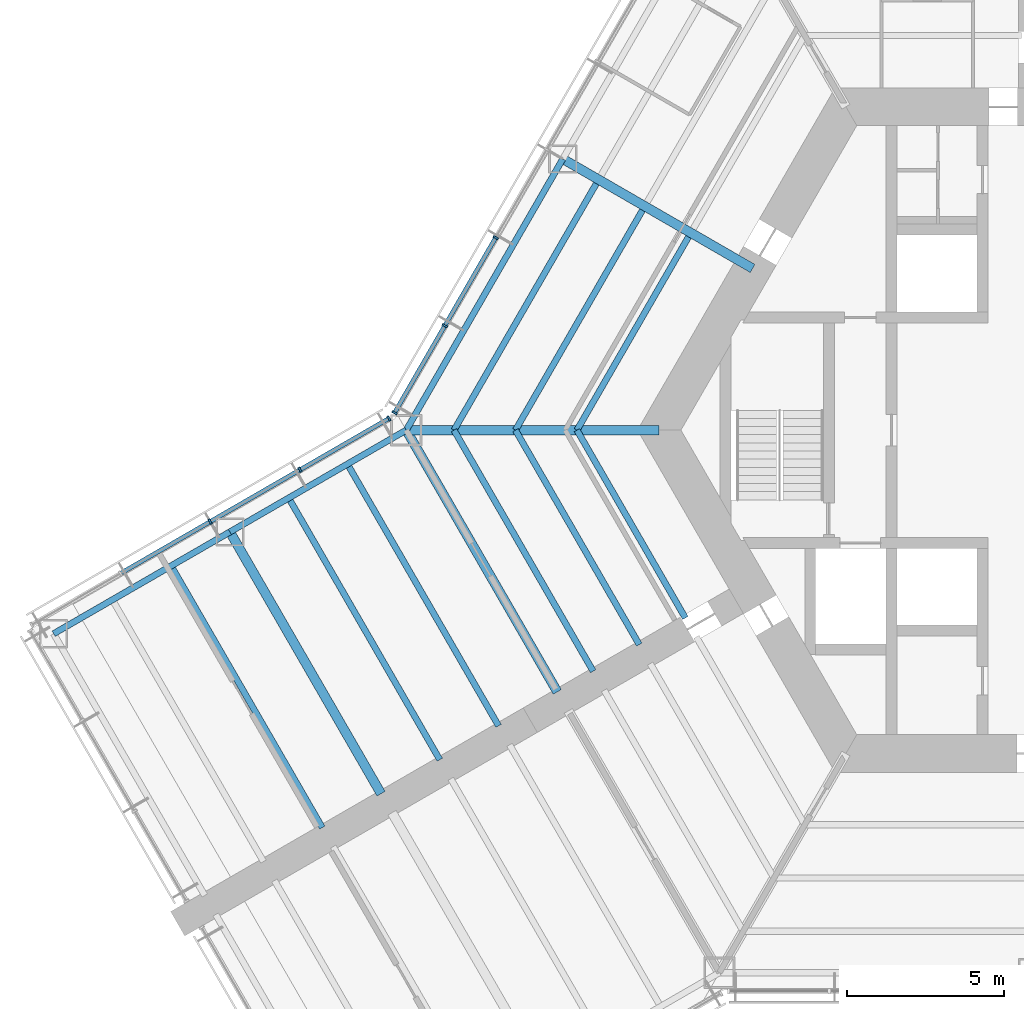
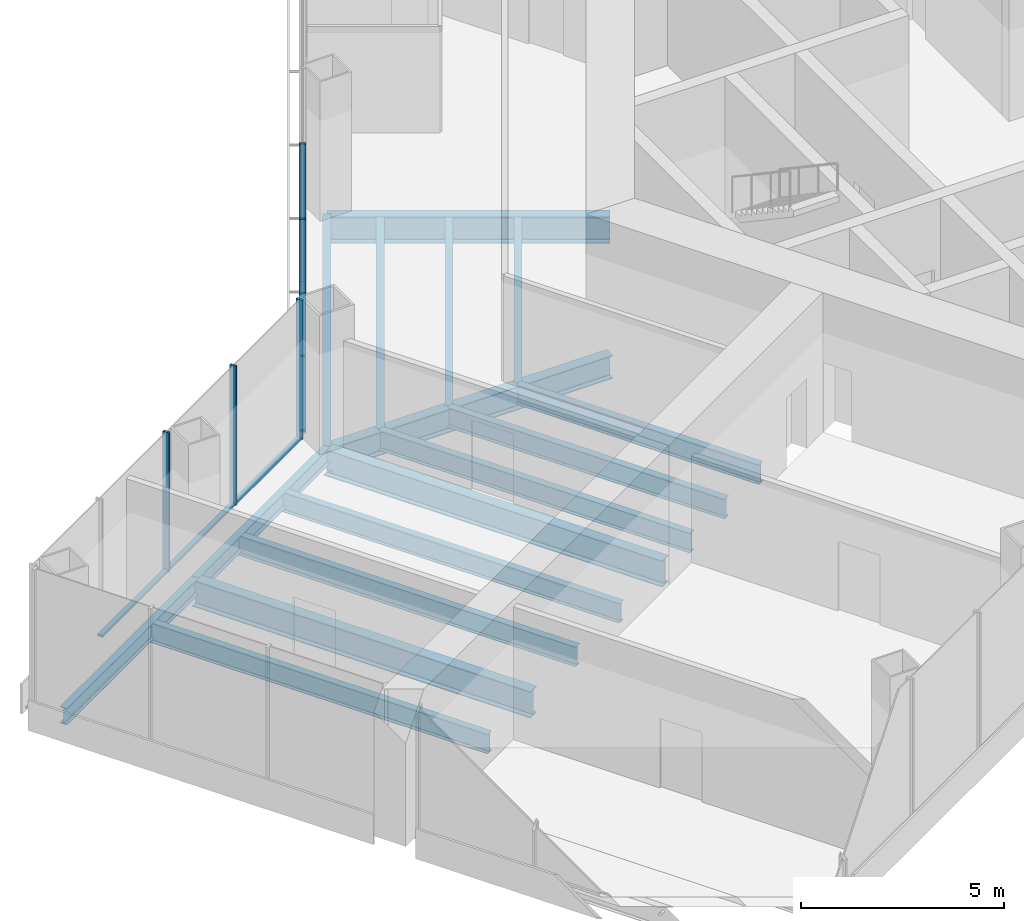
# One storey, part 3 of 16: 16 beams, 11 members, 2 elements without a shape of their own.
"""IFC4 building model written with IfcOpenShell, lengths in metres."""

from ifc_helpers import new_model, si_unit, direction, frame, origin, origin_2d, place, context, subcontext, project, spatial, rectangle, i_section, extrude, material, material_profile, profile_set, type_object, element, aggregate, save


model = new_model("IFC4")

# Units and contexts
model_context = context("Model", 3, precision=1e-05, world=origin(), true_north=direction((0.0, 1.0)))
body_context = subcontext(model_context, "Body", "Model", "MODEL_VIEW")
ifc_project = project(units=[si_unit("LENGTHUNIT", "METRE"), si_unit("AREAUNIT", "SQUARE_METRE"), si_unit("VOLUMEUNIT", "CUBIC_METRE"), si_unit("PLANEANGLEUNIT", "RADIAN"), si_unit("MASSUNIT", "GRAM", prefix="KILO")], contexts=[model_context])

# Site, building, storey
site_placement = place(None, origin())
site = spatial("IfcSite", under=ifc_project, at=site_placement, CompositionType="ELEMENT")
building_placement = place(site_placement, origin())
building = spatial("IfcBuilding", under=site, at=building_placement, Name="Kasaneha Research Tower", CompositionType="ELEMENT")
storey_placement = place(building_placement, frame((0.0, 0.0, 10.0)))
storey = spatial("IfcBuildingStorey", under=building, at=storey_placement, Name="L03", CompositionType="ELEMENT", Elevation=10.0)

# Beams
ifc_material_1 = material(Name="Steel SN490B", Category="steel")
ifc_material_profile_1 = material_profile(ifc_material_1, i_section(OverallWidth=0.199951171875, OverallDepth=0.60009765625, WebThickness=0.010986328125, FlangeThickness=0.01708984375, FilletRadius=0.012939453125, at=origin_2d()), Name="H-600x200x11x17")
ifc_profile_set_1 = profile_set([ifc_material_profile_1], Name="Steel SN490B")
beam_type_1 = type_object("IfcBeamType", Name="B1-1 secondary beam H-600x200x11x17", PredefinedType="JOIST", material=ifc_profile_set_1)
beam_1_placement = place(storey_placement, frame((-14.54931640625, 0.0, -0.5), z_axis=(0.500016104636, 0.866016105569, 0.0), x_axis=(-0.866016105569, 0.500016104636, 0.0)))
element("IfcBeam", 1, at=beam_1_placement, inside=storey, type_object=beam_type_1, Name="Secondary beam RS150R1 L03", PredefinedType="JOIST", context=body_context, shape_type="SweptSolid", body=[
    extrude(i_section(OverallWidth=0.199951171875, OverallDepth=0.60009765625, WebThickness=0.010986328125, FlangeThickness=0.01708984375, FilletRadius=0.012939453125, at=origin_2d()), origin(), (0.0, 0.0, 1.0), 7.124755859375),
])
beam_2_placement = place(storey_placement, frame((-16.51220703125, 0.0, -0.5), z_axis=(0.49999707157, 0.866027094508, 0.0), x_axis=(-0.866027094508, 0.49999707157, 0.0)))
element("IfcBeam", 2, at=beam_2_placement, inside=storey, type_object=beam_type_1, Name="Secondary beam RS150R2 L03", PredefinedType="JOIST", context=body_context, shape_type="SweptSolid", body=[
    extrude(i_section(OverallWidth=0.199951171875, OverallDepth=0.60009765625, WebThickness=0.010986328125, FlangeThickness=0.01708984375, FilletRadius=0.012939453125, at=origin_2d()), origin(), (0.0, 0.0, 1.0), 8.10595703125),
])
beam_3_placement = place(storey_placement, frame((-18.47509765625, 0.0, -0.5), z_axis=(0.499990665392, 0.866030793056, 0.0), x_axis=(-0.866030793056, 0.499990665392, 0.0)))
element("IfcBeam", 3, at=beam_3_placement, inside=storey, type_object=beam_type_1, Name="Secondary beam RS150R3 L03", PredefinedType="JOIST", context=body_context, shape_type="SweptSolid", body=[
    extrude(i_section(OverallWidth=0.199951171875, OverallDepth=0.60009765625, WebThickness=0.010986328125, FlangeThickness=0.01708984375, FilletRadius=0.012939453125, at=origin_2d()), origin(), (0.0, 0.0, 1.0), 9.087646484375),
])
beam_4_placement = place(storey_placement, frame((-14.54931640625, 0.0, -0.5), z_axis=(0.500014420154, -0.866017078145, 0.0), x_axis=(0.866017078145, 0.500014420154, 0.0)))
element("IfcBeam", 4, at=beam_4_placement, inside=storey, type_object=beam_type_1, Name="Secondary beam RS210L1 L03", PredefinedType="JOIST", context=body_context, shape_type="SweptSolid", body=[
    extrude(i_section(OverallWidth=0.199951171875, OverallDepth=0.60009765625, WebThickness=0.010986328125, FlangeThickness=0.01708984375, FilletRadius=0.012939453125, at=origin_2d()), origin(), (0.0, 0.0, 1.0), 6.924560546875),
])
beam_5_placement = place(storey_placement, frame((-16.51220703125, 0.0, -0.5), z_axis=(0.500004902938, -0.866022573054, 0.0), x_axis=(0.866022573054, 0.500004902938, 0.0)))
element("IfcBeam", 5, at=beam_5_placement, inside=storey, type_object=beam_type_1, Name="Secondary beam RS210L2 L03", PredefinedType="JOIST", context=body_context, shape_type="SweptSolid", body=[
    extrude(i_section(OverallWidth=0.199951171875, OverallDepth=0.60009765625, WebThickness=0.010986328125, FlangeThickness=0.01708984375, FilletRadius=0.012939453125, at=origin_2d()), origin(), (0.0, 0.0, 1.0), 7.90625),
])
beam_6_placement = place(storey_placement, frame((-18.47509765625, 0.0, -0.5), z_axis=(0.499988779951, -0.866031881586, 0.0), x_axis=(0.866031881586, 0.499988779951, 0.0)))
element("IfcBeam", 6, at=beam_6_placement, inside=storey, type_object=beam_type_1, Name="Secondary beam RS210L3 L03", PredefinedType="JOIST", context=body_context, shape_type="SweptSolid", body=[
    extrude(i_section(OverallWidth=0.199951171875, OverallDepth=0.60009765625, WebThickness=0.010986328125, FlangeThickness=0.01708984375, FilletRadius=0.012939453125, at=origin_2d()), origin(), (0.0, 0.0, 1.0), 8.887451171875),
])
ifc_material_2 = material(Name="Steel SN490B", Category="steel")
ifc_material_profile_2 = material_profile(ifc_material_2, i_section(OverallWidth=0.198974609375, OverallDepth=0.595947265625, WebThickness=0.010009765625, FlangeThickness=0.014892578125, FilletRadius=0.012939453125, at=origin_2d()), Name="H-596x199x10x15")
ifc_profile_set_2 = profile_set([ifc_material_profile_2], Name="Steel SN490B")
beam_type_2 = type_object("IfcBeamType", Name="B2-1 secondary beam H-596x199x10x15", PredefinedType="JOIST", material=ifc_profile_set_2)
beam_7_placement = place(storey_placement, frame((-21.87646484375, -1.083251953125, -0.498046875), z_axis=(0.500013717211, -0.866017484004, 0.0), x_axis=(0.866017484004, 0.500013717211, 0.0)))
element("IfcBeam", 7, at=beam_7_placement, inside=storey, type_object=beam_type_2, Name="Secondary beam WBBP1 L03", PredefinedType="JOIST", context=body_context, shape_type="SweptSolid", body=[
    extrude(i_section(OverallWidth=0.198974609375, OverallDepth=0.595947265625, WebThickness=0.010009765625, FlangeThickness=0.014892578125, FilletRadius=0.012939453125, at=origin_2d()), origin(), (0.0, 0.0, 1.0), 9.650146484375),
])
for number, where, z_axis, x_axis, name in (
    (8, (-23.752685546875, -2.166748046875, -0.498046875), (0.499994742786, -0.866028439017, 0.0), (0.866028439017, 0.499994742786, 0.0), "Secondary beam WBBP2 L03"),
    (9, (-27.505615234375, -4.333251953125, -0.498046875), (0.499994742786, -0.866028439017, 0.0), (0.866028439017, 0.499994742786, 0.0), "Secondary beam WBBP3 L03"),
):
    element("IfcBeam", number, at=place(storey_placement, frame(where, z_axis=z_axis, x_axis=x_axis)), inside=storey, type_object=beam_type_2, Name=name, PredefinedType="JOIST", context=body_context, shape_type="SweptSolid", body=[
        extrude(i_section(OverallWidth=0.198974609375, OverallDepth=0.595947265625, WebThickness=0.010009765625, FlangeThickness=0.014892578125, FilletRadius=0.012939453125, at=origin_2d()), origin(), (0.0, 0.0, 1.0), 9.64990234375),
    ])

# Curtain wall, members
ifc_material_3 = material(Name="Glass and aluminium", Category="aluminium")
curtain_wall_type = type_object("IfcCurtainWallType", Name="Wet laboratory curtain wall", PredefinedType="USERDEFINED", material=ifc_material_3)
curtain_wall_1_placement = place(storey_placement, origin())
curtain_wall_1 = element("IfcCurtainWall", 10, at=curtain_wall_1_placement, inside=storey, type_object=curtain_wall_type, Name="CW-L1 L03 run 12a", ObjectType="UNITISED CURTAIN WALL", PredefinedType="USERDEFINED")
ifc_material_4 = material(Name="Aluminium 6063-T6", Category="aluminium")
ifc_material_profile_3 = material_profile(ifc_material_4, rectangle(XDim=0.06494140625, YDim=0.179931640625, at=origin_2d()), Name="CW-L1 mullion 65x180")
ifc_profile_set_3 = profile_set([ifc_material_profile_3], Name="Aluminium 6063-T6")
member_type_1 = type_object("IfcMemberType", Name="CW-L1 mullion", PredefinedType="MULLION", material=ifc_profile_set_3)
member_1_placement = place(storey_placement, frame((-17.142822265625, 6.148681640625, 0.0), z_axis=(0.0, 0.0, 1.0), x_axis=(-0.49999996188, -0.866025425793, 0.0)))
member_1 = element("IfcMember", 11, at=member_1_placement, type_object=member_type_1, Name="CW-L1 mullion 5", PredefinedType="MULLION", context=body_context, shape_type="SweptSolid", body=[
    extrude(rectangle(XDim=0.06494140625, YDim=0.179931640625, at=origin_2d()), origin(), (0.0, 0.0, 1.0), 4.199951171875),
])
member_2_placement = place(storey_placement, frame((-18.76611328125, 3.33740234375, 0.0), z_axis=(0.0, 0.0, 1.0), x_axis=(-0.49999996188, -0.866025425793, 0.0)))
member_2 = element("IfcMember", 12, at=member_2_placement, type_object=member_type_1, Name="CW-L1 mullion 6", PredefinedType="MULLION", context=body_context, shape_type="SweptSolid", body=[
    extrude(rectangle(XDim=0.06494140625, YDim=0.179931640625, at=origin_2d()), origin(), (0.0, 0.0, 1.0), 4.199951171875),
])
member_3_placement = place(storey_placement, frame((-20.373046875, 0.553955078125, 0.0), z_axis=(0.0, 0.0, 1.0), x_axis=(-0.49999996188, -0.866025425793, 0.0)))
member_3 = element("IfcMember", 13, at=member_3_placement, type_object=member_type_1, Name="CW-L1 mullion 7", PredefinedType="MULLION", context=body_context, shape_type="SweptSolid", body=[
    extrude(rectangle(XDim=0.06494140625, YDim=0.179931640625, at=origin_2d()), origin(), (0.0, 0.0, 1.0), 4.199951171875),
])

curtain_wall_2_placement = place(storey_placement, origin())
curtain_wall_2 = element("IfcCurtainWall", 14, at=curtain_wall_2_placement, inside=storey, type_object=curtain_wall_type, Name="CW-L1 L03 run 13a", ObjectType="UNITISED CURTAIN WALL", PredefinedType="USERDEFINED")
member_4_placement = place(storey_placement, frame((-20.553955078125, 0.373046875, 0.0), z_axis=(0.0, 0.0, 1.0), x_axis=(-0.866025411464, -0.499999986699, 0.0)))
member_4 = element("IfcMember", 15, at=member_4_placement, type_object=member_type_1, Name="CW-L1 mullion 1", PredefinedType="MULLION", context=body_context, shape_type="SweptSolid", body=[
    extrude(rectangle(XDim=0.06494140625, YDim=0.179931640625, at=origin_2d()), origin(), (0.0, 0.0, 1.0), 4.199951171875),
])
member_5_placement = place(storey_placement, frame((-23.39208984375, -1.265625, 0.0), z_axis=(0.0, 0.0, 1.0), x_axis=(-0.866025411464, -0.499999986699, 0.0)))
member_5 = element("IfcMember", 16, at=member_5_placement, type_object=member_type_1, Name="CW-L1 mullion 2", PredefinedType="MULLION", context=body_context, shape_type="SweptSolid", body=[
    extrude(rectangle(XDim=0.06494140625, YDim=0.179931640625, at=origin_2d()), origin(), (0.0, 0.0, 1.0), 4.199951171875),
])
member_6_placement = place(storey_placement, frame((-26.258544921875, -2.920654296875, 0.0), z_axis=(0.0, 0.0, 1.0), x_axis=(-0.866025411464, -0.499999986699, 0.0)))
member_6 = element("IfcMember", 17, at=member_6_placement, type_object=member_type_1, Name="CW-L1 mullion 3", PredefinedType="MULLION", context=body_context, shape_type="SweptSolid", body=[
    extrude(rectangle(XDim=0.06494140625, YDim=0.179931640625, at=origin_2d()), origin(), (0.0, 0.0, 1.0), 4.199951171875),
])

# Member
ifc_material_5 = material(Name="Aluminium 6063-T6", Category="aluminium")
ifc_material_profile_4 = material_profile(ifc_material_5, rectangle(XDim=0.139892578125, YDim=0.06494140625, at=origin_2d()), Name="CW-L1 transom 140x65")
ifc_profile_set_4 = profile_set([ifc_material_profile_4], Name="Aluminium 6063-T6")
member_type_2 = type_object("IfcMemberType", Name="CW-L1 transom", PredefinedType="USERDEFINED", material=ifc_profile_set_4)
member_7_placement = place(storey_placement, frame((-17.1591796875, 6.12060546875, 0.032470703125), z_axis=(-0.499977104415, -0.866038622153, 0.0), x_axis=(0.866038622153, -0.499977104415, 0.0)))
member_7 = element("IfcMember", 18, at=member_7_placement, type_object=member_type_2, Name="CW-L1 transom 5", ObjectType="TRANSOM", PredefinedType="USERDEFINED", context=body_context, shape_type="SweptSolid", body=[
    extrude(rectangle(XDim=0.139892578125, YDim=0.06494140625, at=origin_2d()), origin(), (0.0, 0.0, 1.0), 3.181396484375),
])

member_8_placement = place(storey_placement, frame((-18.7822265625, 3.30908203125, 0.032470703125), z_axis=(-0.49999985423, -0.866025487945, 0.0), x_axis=(0.866025487945, -0.49999985423, 0.0)))
member_8 = element("IfcMember", 19, at=member_8_placement, type_object=member_type_2, Name="CW-L1 transom 6", ObjectType="TRANSOM", PredefinedType="USERDEFINED", context=body_context, shape_type="SweptSolid", body=[
    extrude(rectangle(XDim=0.139892578125, YDim=0.06494140625, at=origin_2d()), origin(), (0.0, 0.0, 1.0), 3.14892578125),
])

aggregate(curtain_wall_1, [member_1, member_2, member_3, member_7, member_8])

member_9_placement = place(storey_placement, frame((-20.58203125, 0.356689453125, 0.032470703125), z_axis=(-0.866022320763, -0.500005339912, 0.0), x_axis=(0.500005339912, -0.866022320763, 0.0)))
member_9 = element("IfcMember", 20, at=member_9_placement, type_object=member_type_2, Name="CW-L1 transom 1", ObjectType="TRANSOM", PredefinedType="USERDEFINED", context=body_context, shape_type="SweptSolid", body=[
    extrude(rectangle(XDim=0.139892578125, YDim=0.06494140625, at=origin_2d()), origin(), (0.0, 0.0, 1.0), 3.21240234375),
])

member_10_placement = place(storey_placement, frame((-23.42041015625, -1.281982421875, 0.032470703125), z_axis=(-0.866035229914, -0.499982980259, 0.0), x_axis=(0.499982980259, -0.866035229914, 0.0)))
member_10 = element("IfcMember", 21, at=member_10_placement, type_object=member_type_2, Name="CW-L1 transom 2", ObjectType="TRANSOM", PredefinedType="USERDEFINED", context=body_context, shape_type="SweptSolid", body=[
    extrude(rectangle(XDim=0.139892578125, YDim=0.06494140625, at=origin_2d()), origin(), (0.0, 0.0, 1.0), 3.24462890625),
])

member_11_placement = place(storey_placement, frame((-26.28662109375, -2.936767578125, 0.032470703125), z_axis=(-0.866021460221, -0.500006830391, 0.0), x_axis=(0.500006830391, -0.866021460221, 0.0)))
member_11 = element("IfcMember", 22, at=member_11_placement, type_object=member_type_2, Name="CW-L1 transom 3", ObjectType="TRANSOM", PredefinedType="USERDEFINED", context=body_context, shape_type="SweptSolid", body=[
    extrude(rectangle(XDim=0.139892578125, YDim=0.06494140625, at=origin_2d()), origin(), (0.0, 0.0, 1.0), 3.2451171875),
])

aggregate(curtain_wall_2, [member_4, member_5, member_6, member_9, member_10, member_11])

# Beams
ifc_material_6 = material(Name="Steel SN490B", Category="steel")
ifc_material_profile_5 = material_profile(ifc_material_6, i_section(OverallWidth=0.300048828125, OverallDepth=0.699951171875, WebThickness=0.012939453125, FlangeThickness=0.02392578125, FilletRadius=0.01806640625, at=origin_2d()), Name="H-700x300x13x24")
ifc_profile_set_5 = profile_set([ifc_material_profile_5], Name="Steel SN490B")
beam_type_3 = type_object("IfcBeamType", Name="G1-1 radial girder H-700x300x13x24", PredefinedType="BEAM", material=ifc_profile_set_5)
beam_8_placement = place(storey_placement, frame((-11.92236328125, 0.0, -0.550048828125), z_axis=(-1.0, 0.0, 0.0), x_axis=(0.0, -1.0, 0.0)))
element("IfcBeam", 23, at=beam_8_placement, inside=storey, type_object=beam_type_3, Name="Radial girder RV180 L03", PredefinedType="BEAM", context=body_context, shape_type="SweptSolid", body=[
    extrude(i_section(OverallWidth=0.300048828125, OverallDepth=0.699951171875, WebThickness=0.012939453125, FlangeThickness=0.02392578125, FilletRadius=0.01806640625, at=origin_2d()), origin(), (0.0, 0.0, 1.0), 8.07763671875),
])
ifc_material_7 = material(Name="Steel SN490B", Category="steel")
ifc_material_profile_6 = material_profile(ifc_material_7, i_section(OverallWidth=0.300048828125, OverallDepth=0.800048828125, WebThickness=0.013916015625, FlangeThickness=0.02587890625, FilletRadius=0.01806640625, at=origin_2d()), Name="H-800x300x14x26")
ifc_profile_set_6 = profile_set([ifc_material_profile_6], Name="Steel SN490B")
beam_type_4 = type_object("IfcBeamType", Name="G2-1 radial girder H-800x300x14x26", PredefinedType="BEAM", material=ifc_profile_set_6)
beam_9_placement = place(storey_placement, frame((-8.941650390625, 5.16259765625, -0.60009765625), z_axis=(-0.866039713508, 0.499975214012, 0.0), x_axis=(-0.499975214012, -0.866039713508, 0.0)))
element("IfcBeam", 24, at=beam_9_placement, inside=storey, type_object=beam_type_4, Name="Radial girder RM150 L03", PredefinedType="BEAM", context=body_context, shape_type="SweptSolid", body=[
    extrude(i_section(OverallWidth=0.300048828125, OverallDepth=0.800048828125, WebThickness=0.013916015625, FlangeThickness=0.02587890625, FilletRadius=0.01806640625, at=origin_2d()), origin(), (0.0, 0.0, 1.0), 6.995361328125),
])
ifc_material_8 = material(Name="Steel SN490B", Category="steel")
ifc_material_profile_7 = material_profile(ifc_material_8, i_section(OverallWidth=0.300048828125, OverallDepth=0.7919921875, WebThickness=0.013916015625, FlangeThickness=0.02197265625, FilletRadius=0.01806640625, at=origin_2d()), Name="H-792x300x14x22")
ifc_profile_set_7 = profile_set([ifc_material_profile_7], Name="Steel SN490B")
beam_type_5 = type_object("IfcBeamType", Name="G3-1 plate edge girder H-792x300x14x22", PredefinedType="BEAM", material=ifc_profile_set_7)
beam_10_placement = place(storey_placement, frame((-20.0, 0.0, -0.595947265625), z_axis=(0.499994742786, -0.866028439017, 0.0), x_axis=(0.866028439017, 0.499994742786, 0.0)))
element("IfcBeam", 25, at=beam_10_placement, inside=storey, type_object=beam_type_5, Name="Plate edge girder PEBP L03", PredefinedType="BEAM", context=body_context, shape_type="SweptSolid", body=[
    extrude(i_section(OverallWidth=0.300048828125, OverallDepth=0.7919921875, WebThickness=0.013916015625, FlangeThickness=0.02197265625, FilletRadius=0.01806640625, at=origin_2d()), origin(), (0.0, 0.0, 1.0), 9.64990234375),
])
ifc_material_9 = material(Name="Steel SN490B", Category="steel")
ifc_material_profile_8 = material_profile(ifc_material_9, i_section(OverallWidth=0.300048828125, OverallDepth=0.800048828125, WebThickness=0.013916015625, FlangeThickness=0.02587890625, FilletRadius=0.01806640625, at=origin_2d()), Name="H-800x300x14x26")
ifc_profile_set_8 = profile_set([ifc_material_profile_8], Name="Steel SN490B")
beam_type_6 = type_object("IfcBeamType", Name="G4-1 wing girder H-800x300x14x26", PredefinedType="BEAM", material=ifc_profile_set_8)
beam_11_placement = place(storey_placement, frame((-25.629150390625, -3.25, -0.60009765625), z_axis=(0.499994742786, -0.866028439017, 0.0), x_axis=(0.866028439017, 0.499994742786, 0.0)))
element("IfcBeam", 26, at=beam_11_placement, inside=storey, type_object=beam_type_6, Name="Wing girder WGBP L03", PredefinedType="BEAM", context=body_context, shape_type="SweptSolid", body=[
    extrude(i_section(OverallWidth=0.300048828125, OverallDepth=0.800048828125, WebThickness=0.013916015625, FlangeThickness=0.02587890625, FilletRadius=0.01806640625, at=origin_2d()), origin(), (0.0, 0.0, 1.0), 9.64990234375),
])
ifc_material_10 = material(Name="Steel SN490B", Category="steel")
ifc_material_profile_9 = material_profile(ifc_material_10, i_section(OverallWidth=0.199951171875, OverallDepth=0.60009765625, WebThickness=0.010986328125, FlangeThickness=0.01708984375, FilletRadius=0.012939453125, at=origin_2d()), Name="H-600x200x11x17")
ifc_profile_set_9 = profile_set([ifc_material_profile_9], Name="Steel SN490B")
beam_type_7 = type_object("IfcBeamType", Name="SB1-1 spandrel beam H-600x200x11x17", PredefinedType="SPANDREL", material=ifc_profile_set_9)
beam_12_placement = place(storey_placement, frame((-20.0, 0.0, -0.5), z_axis=(0.500004234368, 0.866022959057, 0.0), x_axis=(-0.866022959057, 0.500004234368, 0.0)))
element("IfcBeam", 27, at=beam_12_placement, inside=storey, type_object=beam_type_7, Name="Spandrel beam SR150R L03", PredefinedType="SPANDREL", context=body_context, shape_type="SweptSolid", body=[
    extrude(i_section(OverallWidth=0.199951171875, OverallDepth=0.60009765625, WebThickness=0.010986328125, FlangeThickness=0.01708984375, FilletRadius=0.012939453125, at=origin_2d()), origin(), (0.0, 0.0, 1.0), 10.0),
])
ifc_material_11 = material(Name="Steel SN490B", Category="steel")
ifc_material_profile_10 = material_profile(ifc_material_11, i_section(OverallWidth=0.199951171875, OverallDepth=0.5, WebThickness=0.010009765625, FlangeThickness=0.01611328125, FilletRadius=0.012939453125, at=origin_2d()), Name="H-500x200x10x16")
ifc_profile_set_10 = profile_set([ifc_material_profile_10], Name="Steel SN490B")
beam_type_8 = type_object("IfcBeamType", Name="SB2-1 spandrel beam H-500x200x10x16", PredefinedType="SPANDREL", material=ifc_profile_set_10)
for number, where, z_axis, x_axis, name in (
    (28, (-20.0, 0.0, -0.449951171875), (-0.866024837091, -0.50000098154, 0.0), (0.50000098154, -0.866024837091, 0.0), "Spandrel beam WSBP1 L03"),
    (29, (-25.629150390625, -3.25, -0.449951171875), (-0.866024837091, -0.50000098154, 0.0), (0.50000098154, -0.866024837091, 0.0), "Spandrel beam WSBP2 L03"),
):
    element("IfcBeam", number, at=place(storey_placement, frame(where, z_axis=z_axis, x_axis=x_axis)), inside=storey, type_object=beam_type_8, Name=name, PredefinedType="SPANDREL", context=body_context, shape_type="SweptSolid", body=[
        extrude(i_section(OverallWidth=0.199951171875, OverallDepth=0.5, WebThickness=0.010009765625, FlangeThickness=0.01611328125, FilletRadius=0.012939453125, at=origin_2d()), origin(), (0.0, 0.0, 1.0), 6.5),
    ])

save(model, "model.ifc")
